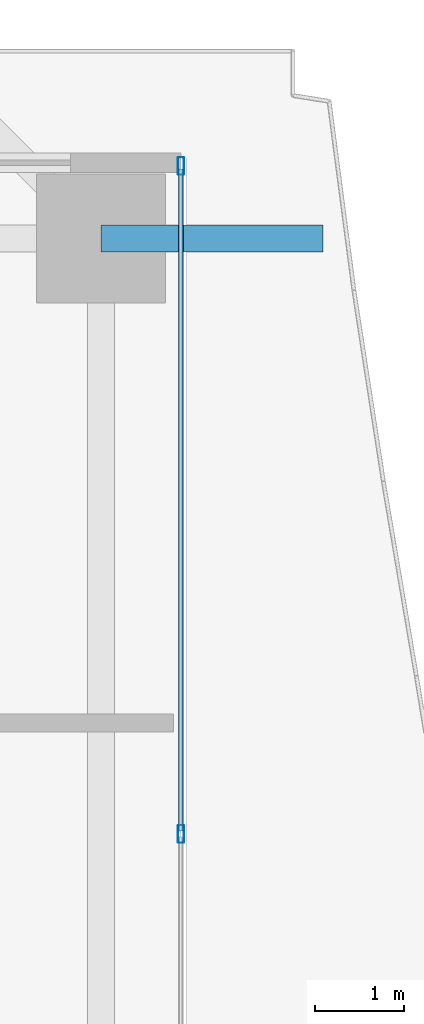
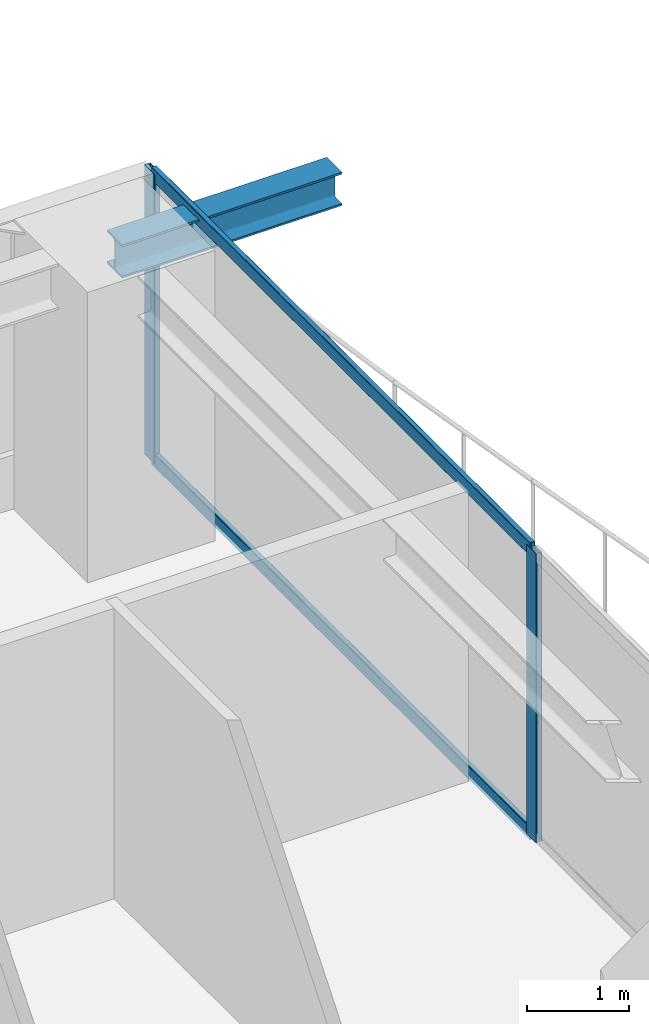
# One storey, part 23 of 39: 4 members, 1 beam, 1 element without a shape of its own.
"""IFC4 building model written with IfcOpenShell, lengths in metres."""

from ifc_helpers import new_model, si_unit, direction, frame, origin, origin_2d, place, context, subcontext, project, spatial, hollow_rectangle, i_section, extrude, source, transform, mapped, material, layer, layer_set, material_profile, profile_set, type_object, element, aggregate, save


model = new_model("IFC4")

# Units and contexts
model_context = context("Model", 3, precision=1e-05, world=origin(), true_north=direction((0.0, 1.0)))
body_context = subcontext(model_context, "Body", "Model", "MODEL_VIEW")
ifc_project = project(units=[si_unit("LENGTHUNIT", "METRE"), si_unit("AREAUNIT", "SQUARE_METRE"), si_unit("VOLUMEUNIT", "CUBIC_METRE"), si_unit("PLANEANGLEUNIT", "RADIAN"), si_unit("MASSUNIT", "GRAM", prefix="KILO")], contexts=[model_context])

# Site, building, storey
site_placement = place(None, origin())
site = spatial("IfcSite", under=ifc_project, at=site_placement, CompositionType="ELEMENT")
building_placement = place(site_placement, origin())
building = spatial("IfcBuilding", under=site, at=building_placement, Name="Serunith Strait Residences", CompositionType="ELEMENT")
storey_placement = place(building_placement, frame((0.0, 0.0, 64.199951171875)))
storey = spatial("IfcBuildingStorey", under=building, at=storey_placement, Name="L15", CompositionType="ELEMENT", Elevation=64.199951171875)

# Beam
ifc_material_1 = material(Name="Steel S355J2", Category="steel")
ifc_material_profile_1 = material_profile(ifc_material_1, i_section(OverallWidth=0.300048828125, OverallDepth=0.39990234375, WebThickness=0.013427734375, FlangeThickness=0.02392578125, FilletRadius=0.027099609375, at=origin_2d()), Name="HEB 400")
ifc_profile_set_1 = profile_set([ifc_material_profile_1], Name="Steel S355J2")
beam_type = type_object("IfcBeamType", Name="BM-HEB400", PredefinedType="BEAM", material=ifc_profile_set_1)
shared_shape_1 = source(origin(), body_context, "Body", "SweptSolid", [
    extrude(i_section(OverallWidth=0.300048828125, OverallDepth=0.39990234375, WebThickness=0.013427734375, FlangeThickness=0.02392578125, FilletRadius=0.027099609375, at=origin_2d()), origin(), (0.0, 0.0, 1.0), 2.498779296875),
])
beam_placement = place(storey_placement, frame((57.89990234375, 40.949951171875, 3.257080078125), z_axis=(1.0, 0.0, 0.0), x_axis=(0.0, 1.0, 0.0)))
element("IfcBeam", 1, at=beam_placement, inside=storey, type_object=beam_type, Name="L16 Cantilevered Balcony Rib TC-E4", PredefinedType="BEAM", context=body_context, shape_type="MappedRepresentation", body=[
    mapped(shared_shape_1, transform((0.0, 0.0, 0.0), scale=1.0)),
])

# Curtain wall, members
ifc_material_2 = material(Name="Pale-Champagne Anodised Aluminium", Category="aluminium")
ifc_layer = layer(ifc_material_2, 0.199951171875, Name="Pale-Champagne Anodised Aluminium")
ifc_layer_set = layer_set([ifc_layer], Name="Pale-Champagne Anodised Aluminium")
curtain_wall_type = type_object("IfcCurtainWallType", Name="CW-SYS1", PredefinedType="NOTDEFINED", material=ifc_layer_set)
curtain_wall_placement = place(storey_placement, origin())
curtain_wall = element("IfcCurtainWall", 2, at=curtain_wall_placement, inside=storey, type_object=curtain_wall_type, Name="L15 E Unitised Fritted Curtain Wall", PredefinedType="NOTDEFINED")
ifc_material_profile_2 = material_profile(ifc_material_2, hollow_rectangle(XDim=0.070068359375, YDim=0.199951171875, WallThickness=0.00390625, InnerFilletRadius=0.006103515625, OuterFilletRadius=0.010009765625, at=origin_2d()), Name="ALU 200x70x4")
ifc_profile_set_2 = profile_set([ifc_material_profile_2], Name="Pale-Champagne Anodised Aluminium")
member_type_1 = type_object("IfcMemberType", Name="CW-SYS1-MULL", PredefinedType="MULLION", material=ifc_profile_set_2)
shared_shape_2 = source(origin(), body_context, "Body", "SweptSolid", [
    extrude(hollow_rectangle(XDim=0.070068359375, YDim=0.199951171875, WallThickness=0.00390625, InnerFilletRadius=0.006103515625, OuterFilletRadius=0.010009765625, at=origin_2d()), origin(), (0.0, 0.0, 1.0), 3.47509765625),
])
member_1_placement = place(storey_placement, frame((58.800048828125, 34.25, 0.0), z_axis=(0.0, 0.0, 1.0), x_axis=(-1.0, 0.0, 0.0)))
member_1 = element("IfcMember", 3, at=member_1_placement, type_object=member_type_1, Name="CW-1 mullion 2", PredefinedType="MULLION", context=body_context, shape_type="MappedRepresentation", body=[
    mapped(shared_shape_2, transform((0.0, 0.0, 0.0), scale=1.0)),
])
member_2_placement = place(storey_placement, frame((58.800048828125, 41.764892578125, 0.0), z_axis=(0.0, 0.0, 1.0), x_axis=(-1.0, 0.0, 0.0)))
member_2 = element("IfcMember", 4, at=member_2_placement, type_object=member_type_1, Name="CW-1 mullion 3", PredefinedType="MULLION", context=body_context, shape_type="MappedRepresentation", body=[
    mapped(shared_shape_2, transform((0.0, 0.0, 0.0), scale=1.0)),
])
ifc_material_profile_3 = material_profile(ifc_material_2, hollow_rectangle(XDim=0.06005859375, YDim=0.159912109375, WallThickness=0.00341796875, InnerFilletRadius=0.00537109375, OuterFilletRadius=0.0087890625, at=origin_2d()), Name="ALU 160x60x3.5")
ifc_profile_set_3 = profile_set([ifc_material_profile_3], Name="Pale-Champagne Anodised Aluminium")
member_type_2 = type_object("IfcMemberType", Name="CW-SYS1-TRAN", PredefinedType="USERDEFINED", material=ifc_profile_set_3)
shared_shape_3 = source(origin(), body_context, "Body", "SweptSolid", [
    extrude(hollow_rectangle(XDim=0.06005859375, YDim=0.159912109375, WallThickness=0.00341796875, InnerFilletRadius=0.00537109375, OuterFilletRadius=0.0087890625, at=origin_2d()), origin(), (0.0, 0.0, 1.0), 7.445068359375),
])
member_3_placement = place(storey_placement, frame((58.800048828125, 34.284912109375, 0.030029296875), z_axis=(0.0, 1.0, 0.0), x_axis=(-1.0, 0.0, 0.0)))
member_3 = element("IfcMember", 5, at=member_3_placement, type_object=member_type_2, Name="CW-1 transom 2.1", ObjectType="TRANSOM", PredefinedType="USERDEFINED", context=body_context, shape_type="MappedRepresentation", body=[
    mapped(shared_shape_3, transform((0.0, 0.0, 0.0), scale=1.0)),
])
member_4_placement = place(storey_placement, frame((58.800048828125, 34.284912109375, 3.445068359375), z_axis=(0.0, 1.0, 0.0), x_axis=(-1.0, 0.0, 0.0)))
member_4 = element("IfcMember", 6, at=member_4_placement, type_object=member_type_2, Name="CW-1 transom 2.2", ObjectType="TRANSOM", PredefinedType="USERDEFINED", context=body_context, shape_type="MappedRepresentation", body=[
    mapped(shared_shape_3, transform((0.0, 0.0, 0.0), scale=1.0)),
])
aggregate(curtain_wall, [member_1, member_2, member_3, member_4])

save(model, "model.ifc")
